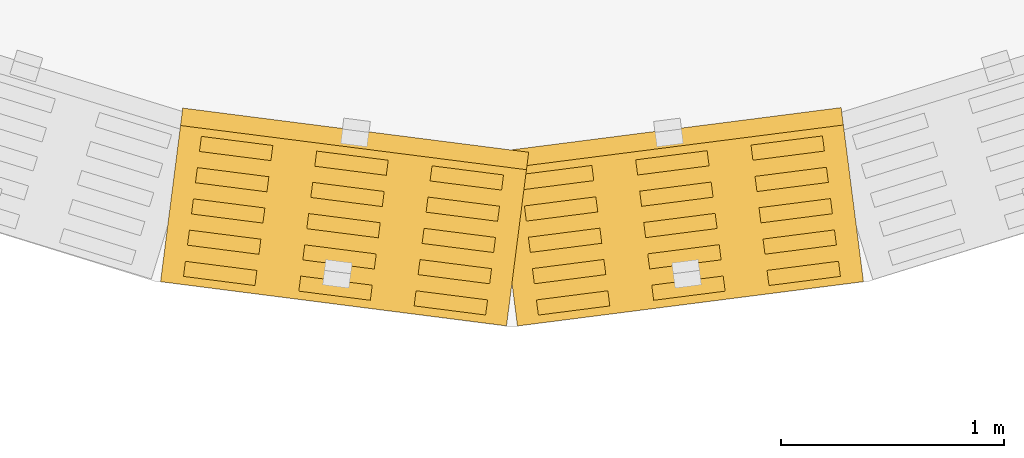
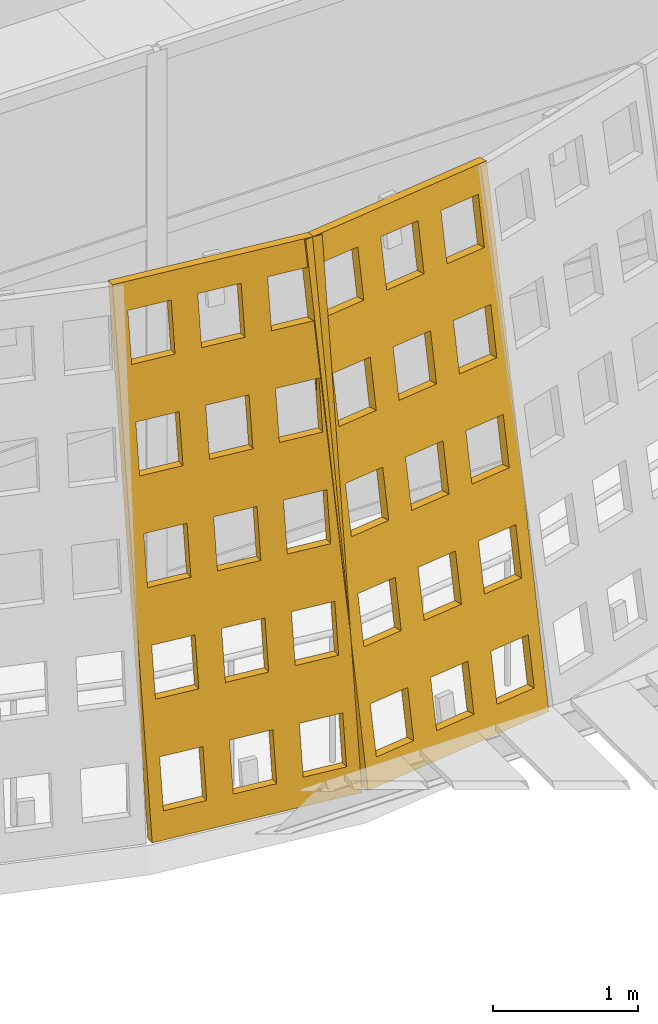
# One storey, part 143 of 162: 2 coverings.
"""IFC4 building model written with IfcOpenShell, lengths in metres."""

from ifc_helpers import new_model, si_unit, direction, frame, origin, place, context, subcontext, project, spatial, polyline, outline, extrude, material, layer, layer_set, type_object, element, save


model = new_model("IFC4")

# Units and contexts
model_context = context("Model", 3, precision=1e-05, world=origin(), true_north=direction((0.0, 1.0)))
body_context = subcontext(model_context, "Body", "Model", "MODEL_VIEW")
ifc_project = project(units=[si_unit("LENGTHUNIT", "METRE"), si_unit("AREAUNIT", "SQUARE_METRE"), si_unit("VOLUMEUNIT", "CUBIC_METRE"), si_unit("PLANEANGLEUNIT", "RADIAN"), si_unit("MASSUNIT", "GRAM", prefix="KILO")], contexts=[model_context])

# Site, building, storey
site_placement = place(None, origin())
site = spatial("IfcSite", under=ifc_project, at=site_placement, CompositionType="ELEMENT")
building_placement = place(site_placement, origin())
building = spatial("IfcBuilding", under=site, at=building_placement, Name="Rain Tree Exposition and Congress Centre", CompositionType="ELEMENT")
storey_placement = place(building_placement, frame((0.0, 0.0, 6.0)))
storey = spatial("IfcBuildingStorey", under=building, at=storey_placement, Name="L01", CompositionType="ELEMENT", Elevation=6.0)

# Coverings
ifc_material = material(Name="Perforated terracotta", Category="masonry")
ifc_layer = layer(ifc_material, 0.080078125)
ifc_layer_set = layer_set([ifc_layer], Name="Perforated terracotta")
covering_type = type_object("IfcCoveringType", Name="Terracotta screen 80", PredefinedType="CLADDING", material=ifc_layer_set)
covering_1_placement = place(storey_placement, frame((132.80029296875, 72.5068359375, 0.01318359375), z_axis=(0.124968640969, 0.978413018317, -0.164592844203), x_axis=(-0.991941518713, 0.126696580272, 0.0)))
element("IfcCovering", 1, at=covering_1_placement, inside=storey, type_object=covering_type, Name="concourse/screen/L01/084", PredefinedType="CLADDING", context=body_context, shape_type="SweptSolid", body=[
    extrude(outline(polyline([(-1.587890625, 0.0), (-1.587890625, 4.295166015625), (-0.02197265625, 4.295166015625), (-0.02197265625, 0.0), (-1.587890625, 0.0)]), holes=[polyline([(-0.12109375, 0.2216796875), (-0.12109375, 0.63720703125), (-0.444580078125, 0.63720703125), (-0.444580078125, 0.2216796875), (-0.12109375, 0.2216796875)]), polyline([(-0.12109375, 1.080810546875), (-0.12109375, 1.496337890625), (-0.444580078125, 1.496337890625), (-0.444580078125, 1.080810546875), (-0.12109375, 1.080810546875)]), polyline([(-0.12109375, 1.939697265625), (-0.12109375, 2.35546875), (-0.444580078125, 2.35546875), (-0.444580078125, 1.939697265625), (-0.12109375, 1.939697265625)]), polyline([(-0.12109375, 2.798583984375), (-0.12109375, 3.21435546875), (-0.444580078125, 3.21435546875), (-0.444580078125, 2.798583984375), (-0.12109375, 2.798583984375)]), polyline([(-0.12109375, 3.65771484375), (-0.12109375, 4.073486328125), (-0.444580078125, 4.073486328125), (-0.444580078125, 3.65771484375), (-0.12109375, 3.65771484375)]), polyline([(-0.64306640625, 0.2216796875), (-0.64306640625, 0.63720703125), (-0.966796875, 0.63720703125), (-0.966796875, 0.2216796875), (-0.64306640625, 0.2216796875)]), polyline([(-0.64306640625, 1.080810546875), (-0.64306640625, 1.496337890625), (-0.966796875, 1.496337890625), (-0.966796875, 1.080810546875), (-0.64306640625, 1.080810546875)]), polyline([(-0.64306640625, 1.939697265625), (-0.64306640625, 2.35546875), (-0.966796875, 2.35546875), (-0.966796875, 1.939697265625), (-0.64306640625, 1.939697265625)]), polyline([(-0.64306640625, 2.798583984375), (-0.64306640625, 3.21435546875), (-0.966796875, 3.21435546875), (-0.966796875, 2.798583984375), (-0.64306640625, 2.798583984375)]), polyline([(-0.64306640625, 3.65771484375), (-0.64306640625, 4.073486328125), (-0.966796875, 4.073486328125), (-0.966796875, 3.65771484375), (-0.64306640625, 3.65771484375)]), polyline([(-1.1650390625, 0.2216796875), (-1.1650390625, 0.63720703125), (-1.48876953125, 0.63720703125), (-1.48876953125, 0.2216796875), (-1.1650390625, 0.2216796875)]), polyline([(-1.1650390625, 1.080810546875), (-1.1650390625, 1.496337890625), (-1.48876953125, 1.496337890625), (-1.48876953125, 1.080810546875), (-1.1650390625, 1.080810546875)]), polyline([(-1.1650390625, 1.939697265625), (-1.1650390625, 2.35546875), (-1.48876953125, 2.35546875), (-1.48876953125, 1.939697265625), (-1.1650390625, 1.939697265625)]), polyline([(-1.1650390625, 2.798583984375), (-1.1650390625, 3.21435546875), (-1.48876953125, 3.21435546875), (-1.48876953125, 2.798583984375), (-1.1650390625, 2.798583984375)]), polyline([(-1.1650390625, 3.65771484375), (-1.1650390625, 4.073486328125), (-1.48876953125, 4.073486328125), (-1.48876953125, 3.65771484375), (-1.1650390625, 3.65771484375)])]), origin(), (0.0, 0.0, 1.0), 0.080078125),
])
covering_2_placement = place(storey_placement, frame((134.399658203125, 72.302001953125, 0.01318359375), z_axis=(-0.125342414455, 0.978282259159, -0.165085131233), x_axis=(-0.991891686382, -0.127086122318, 0.0)))
element("IfcCovering", 2, at=covering_2_placement, inside=storey, type_object=covering_type, Name="concourse/screen/L01/085", PredefinedType="CLADDING", context=body_context, shape_type="SweptSolid", body=[
    extrude(outline(polyline([(-1.59130859375, 0.0), (-1.59130859375, 4.295166015625), (-0.025146484375, 4.295166015625), (-0.025146484375, 0.0), (-1.59130859375, 0.0)]), holes=[polyline([(-0.12451171875, 0.2216796875), (-0.12451171875, 0.63720703125), (-0.447998046875, 0.63720703125), (-0.447998046875, 0.2216796875), (-0.12451171875, 0.2216796875)]), polyline([(-0.12451171875, 1.080810546875), (-0.12451171875, 1.496337890625), (-0.447998046875, 1.496337890625), (-0.447998046875, 1.080810546875), (-0.12451171875, 1.080810546875)]), polyline([(-0.12451171875, 1.939697265625), (-0.12451171875, 2.35546875), (-0.447998046875, 2.35546875), (-0.447998046875, 1.939697265625), (-0.12451171875, 1.939697265625)]), polyline([(-0.12451171875, 2.798583984375), (-0.12451171875, 3.21435546875), (-0.447998046875, 3.21435546875), (-0.447998046875, 2.798583984375), (-0.12451171875, 2.798583984375)]), polyline([(-0.12451171875, 3.65771484375), (-0.12451171875, 4.073486328125), (-0.447998046875, 4.073486328125), (-0.447998046875, 3.65771484375), (-0.12451171875, 3.65771484375)]), polyline([(-0.646484375, 0.2216796875), (-0.646484375, 0.63720703125), (-0.969970703125, 0.63720703125), (-0.969970703125, 0.2216796875), (-0.646484375, 0.2216796875)]), polyline([(-0.646484375, 1.080810546875), (-0.646484375, 1.496337890625), (-0.969970703125, 1.496337890625), (-0.969970703125, 1.080810546875), (-0.646484375, 1.080810546875)]), polyline([(-0.646484375, 1.939697265625), (-0.646484375, 2.35546875), (-0.969970703125, 2.35546875), (-0.969970703125, 1.939697265625), (-0.646484375, 1.939697265625)]), polyline([(-0.646484375, 2.798583984375), (-0.646484375, 3.21435546875), (-0.969970703125, 3.21435546875), (-0.969970703125, 2.798583984375), (-0.646484375, 2.798583984375)]), polyline([(-0.646484375, 3.65771484375), (-0.646484375, 4.073486328125), (-0.969970703125, 4.073486328125), (-0.969970703125, 3.65771484375), (-0.646484375, 3.65771484375)]), polyline([(-1.16845703125, 0.2216796875), (-1.16845703125, 0.63720703125), (-1.491943359375, 0.63720703125), (-1.491943359375, 0.2216796875), (-1.16845703125, 0.2216796875)]), polyline([(-1.16845703125, 1.080810546875), (-1.16845703125, 1.496337890625), (-1.491943359375, 1.496337890625), (-1.491943359375, 1.080810546875), (-1.16845703125, 1.080810546875)]), polyline([(-1.16845703125, 1.939697265625), (-1.16845703125, 2.35546875), (-1.491943359375, 2.35546875), (-1.491943359375, 1.939697265625), (-1.16845703125, 1.939697265625)]), polyline([(-1.16845703125, 2.798583984375), (-1.16845703125, 3.21435546875), (-1.491943359375, 3.21435546875), (-1.491943359375, 2.798583984375), (-1.16845703125, 2.798583984375)]), polyline([(-1.16845703125, 3.65771484375), (-1.16845703125, 4.073486328125), (-1.491943359375, 4.073486328125), (-1.491943359375, 3.65771484375), (-1.16845703125, 3.65771484375)])]), origin(), (0.0, 0.0, 1.0), 0.079833984375),
])

save(model, "model.ifc")
